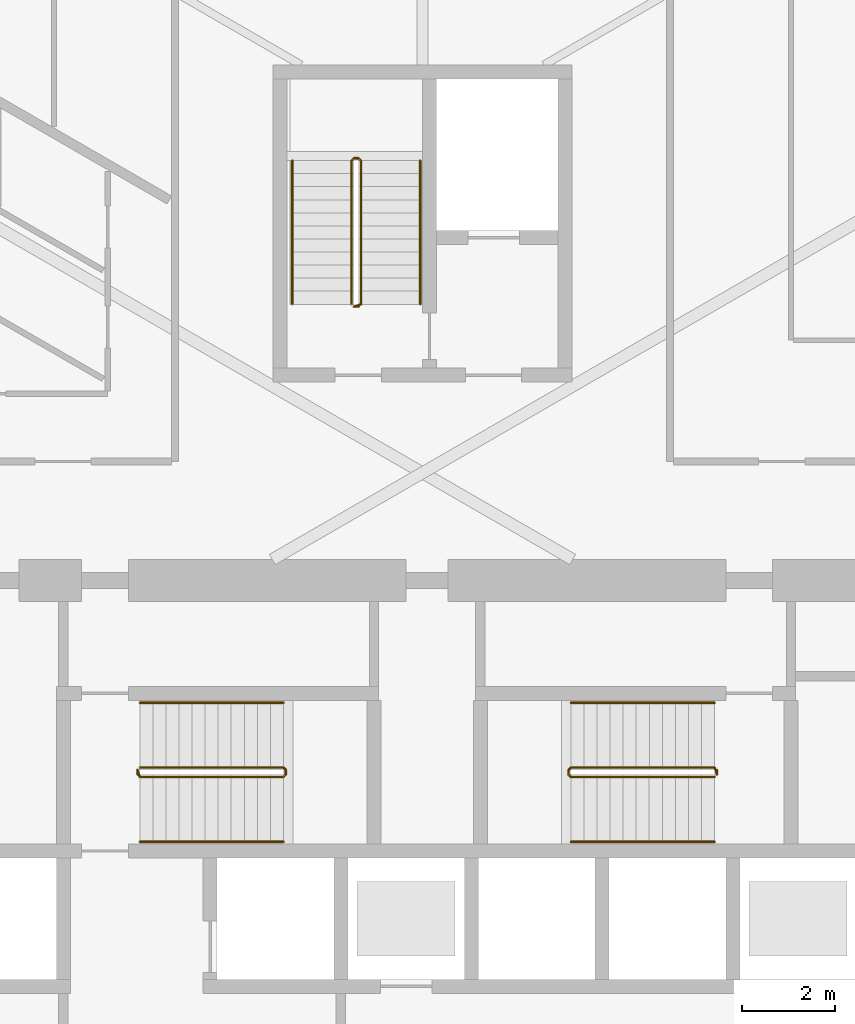
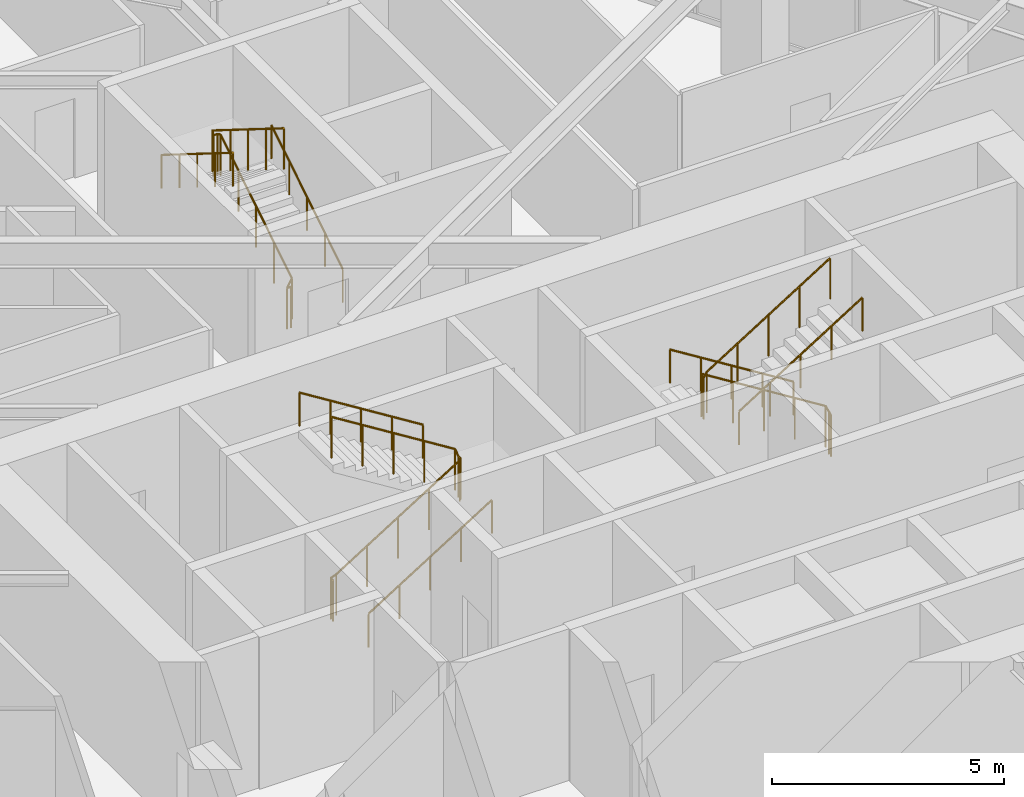
# One storey, part 20 of 21: 9 railings.
"""IFC4 building model written with IfcOpenShell, lengths in metres."""

from ifc_helpers import new_model, si_unit, direction, frame, origin, origin_2d, place, context, subcontext, project, spatial, circle, extrude, material, type_object, element, save


model = new_model("IFC4")

# Units and contexts
model_context = context("Model", 3, precision=1e-05, world=origin(), true_north=direction((0.0, 1.0)))
body_context = subcontext(model_context, "Body", "Model", "MODEL_VIEW")
ifc_project = project(units=[si_unit("LENGTHUNIT", "METRE"), si_unit("AREAUNIT", "SQUARE_METRE"), si_unit("VOLUMEUNIT", "CUBIC_METRE"), si_unit("PLANEANGLEUNIT", "RADIAN"), si_unit("MASSUNIT", "GRAM", prefix="KILO")], contexts=[model_context])

# Site, building, storey
site_placement = place(None, origin())
site = spatial("IfcSite", under=ifc_project, at=site_placement, CompositionType="ELEMENT")
building_placement = place(site_placement, origin())
building = spatial("IfcBuilding", under=site, at=building_placement, Name="Firuza Gate Tower and Library", CompositionType="ELEMENT")
storey_placement = place(building_placement, frame((0.0, 0.0, 98.800048828125)))
storey = spatial("IfcBuildingStorey", under=building, at=storey_placement, Name="L22", CompositionType="ELEMENT", Elevation=98.800048828125)

# Railings
ifc_material_1 = material(Name="Steel S355", Category="steel")
railing_type_1 = type_object("IfcRailingType", Name="Stair guard 1100", PredefinedType="GUARDRAIL", material=ifc_material_1)
railing_1_placement = place(storey_placement, frame((68.889892578125, 79.389892578125, 0.0)))
element("IfcRailing", 1, at=railing_1_placement, inside=storey, type_object=railing_type_1, Name="L22 ST1 stair guard 1", PredefinedType="GUARDRAIL", context=body_context, shape_type="SweptSolid", body=[
    extrude(circle(Radius=0.02392578125, at=origin_2d()), frame((0.0, 0.0, 1.076171875), z_axis=(0.0, 1.0, 0.0), x_axis=(-1.0, 0.0, 0.0)), (0.0, 0.0, 1.0), 0.10009765625),
    extrude(circle(Radius=0.02392578125, at=origin_2d()), frame((0.0, 0.10009765625, 1.076171875), z_axis=(0.21222055169, -0.635626432867, 0.742254319813), x_axis=(0.948528701346, 0.316691178788, 0.0)), (0.0, 0.0, 1.0), 0.23583984375),
    extrude(circle(Radius=0.02392578125, at=origin_2d()), frame((0.050048828125, -0.0498046875, 1.2509765625), z_axis=(0.848028513186, 0.0, 0.529950602248), x_axis=(0.0, 1.0, 0.0)), (0.0, 0.0, 1.0), 3.632080078125),
    extrude(circle(Radius=0.02392578125, at=origin_2d()), frame((3.130126953125, -0.0498046875, 3.17578125), z_axis=(0.708833529934, 0.705375805398, 0.0), x_axis=(-0.705375805398, 0.708833529934, 0.0)), (0.0, 0.0, 1.0), 0.070556640625),
    extrude(circle(Radius=0.02392578125, at=origin_2d()), frame((3.18017578125, 0.0, 3.17578125), z_axis=(0.0, 1.0, 0.0), x_axis=(-1.0, 0.0, 0.0)), (0.0, 0.0, 1.0), 0.10009765625),
    extrude(circle(Radius=0.02392578125, at=origin_2d()), frame((3.18017578125, 0.10009765625, 3.17578125), z_axis=(-0.265065253269, 0.265065253269, 0.927081885822), x_axis=(-0.707106781187, -0.707106781187, 0.0)), (0.0, 0.0, 1.0), 0.188720703125),
    extrude(circle(Radius=0.02392578125, at=origin_2d()), frame((3.130126953125, 0.150146484375, 3.35107421875), z_axis=(-0.847998304005, 0.0, 0.529998940003), x_axis=(0.0, -1.0, 0.0)), (0.0, 0.0, 1.0), 3.632080078125),
    extrude(circle(Radius=0.02099609375, at=origin_2d()), origin(), (0.0, 0.0, 1.0), 1.052001953125),
    extrude(circle(Radius=0.02099609375, at=origin_2d()), frame((0.0, 0.10009765625, 0.0)), (0.0, 0.0, 1.0), 1.052001953125),
    extrude(circle(Radius=0.02099609375, at=origin_2d()), frame((0.050048828125, -0.0498046875, 0.175048828125)), (0.0, 0.0, 1.0), 1.052001953125),
    extrude(circle(Radius=0.02099609375, at=origin_2d()), frame((0.820068359375, -0.0498046875, 0.65625)), (0.0, 0.0, 1.0), 1.052001953125),
    extrude(circle(Radius=0.02099609375, at=origin_2d()), frame((1.590087890625, -0.0498046875, 1.137451171875)), (0.0, 0.0, 1.0), 1.052001953125),
    extrude(circle(Radius=0.02099609375, at=origin_2d()), frame((2.360107421875, -0.0498046875, 1.61865234375)), (0.0, 0.0, 1.0), 1.052001953125),
    extrude(circle(Radius=0.02099609375, at=origin_2d()), frame((3.130126953125, -0.0498046875, 2.099853515625)), (0.0, 0.0, 1.0), 1.052001953125),
    extrude(circle(Radius=0.02099609375, at=origin_2d()), frame((3.18017578125, 0.0, 2.099853515625)), (0.0, 0.0, 1.0), 1.052001953125),
    extrude(circle(Radius=0.02099609375, at=origin_2d()), frame((3.18017578125, 0.10009765625, 2.099853515625)), (0.0, 0.0, 1.0), 1.052001953125),
    extrude(circle(Radius=0.02099609375, at=origin_2d()), frame((3.130126953125, 0.150146484375, 2.27490234375)), (0.0, 0.0, 1.0), 1.052001953125),
    extrude(circle(Radius=0.02099609375, at=origin_2d()), frame((2.360107421875, 0.150146484375, 2.756103515625)), (0.0, 0.0, 1.0), 1.052001953125),
    extrude(circle(Radius=0.02099609375, at=origin_2d()), frame((1.590087890625, 0.150146484375, 3.2373046875)), (0.0, 0.0, 1.0), 1.052001953125),
    extrude(circle(Radius=0.02099609375, at=origin_2d()), frame((0.820068359375, 0.150146484375, 3.71875)), (0.0, 0.0, 1.0), 1.052001953125),
    extrude(circle(Radius=0.02099609375, at=origin_2d()), frame((0.050048828125, 0.150146484375, 4.199951171875)), (0.0, 0.0, 1.0), 1.052001953125),
])
railing_2_placement = place(storey_placement, frame((81.31005859375, 79.489990234375, 0.0)))
element("IfcRailing", 2, at=railing_2_placement, inside=storey, type_object=railing_type_1, Name="L22 ST2 stair guard 1", PredefinedType="GUARDRAIL", context=body_context, shape_type="SweptSolid", body=[
    extrude(circle(Radius=0.02392578125, at=origin_2d()), frame((0.0, 0.0, 1.076171875), z_axis=(0.0, -1.0, 0.0), x_axis=(1.0, 0.0, 0.0)), (0.0, 0.0, 1.0), 0.10009765625),
    extrude(circle(Radius=0.02392578125, at=origin_2d()), frame((0.0, -0.10009765625, 1.076171875), z_axis=(-0.212080931658, 0.636242794973, 0.741765990237), x_axis=(-0.948683298051, -0.316227766017, 0.0)), (0.0, 0.0, 1.0), 0.236083984375),
    extrude(circle(Radius=0.02392578125, at=origin_2d()), frame((-0.050048828125, 0.050048828125, 1.2509765625), z_axis=(-0.848028513186, 0.0, 0.529950602248), x_axis=(0.0, -1.0, 0.0)), (0.0, 0.0, 1.0), 3.632080078125),
    extrude(circle(Radius=0.02392578125, at=origin_2d()), frame((-3.130126953125, 0.050048828125, 3.17578125), z_axis=(-0.707106781187, -0.707106781187, 0.0), x_axis=(0.707106781187, -0.707106781187, 0.0)), (0.0, 0.0, 1.0), 0.07080078125),
    extrude(circle(Radius=0.02392578125, at=origin_2d()), frame((-3.18017578125, 0.0, 3.17578125), z_axis=(0.0, -1.0, 0.0), x_axis=(1.0, 0.0, 0.0)), (0.0, 0.0, 1.0), 0.10009765625),
    extrude(circle(Radius=0.02392578125, at=origin_2d()), frame((-3.18017578125, -0.10009765625, 3.17578125), z_axis=(0.265155923931, -0.263862480399, 0.927399011991), x_axis=(0.705375805398, 0.708833529934, 0.0)), (0.0, 0.0, 1.0), 0.188720703125),
    extrude(circle(Radius=0.02392578125, at=origin_2d()), frame((-3.130126953125, -0.14990234375, 3.35107421875), z_axis=(0.847998304005, 0.0, 0.529998940003), x_axis=(0.0, 1.0, 0.0)), (0.0, 0.0, 1.0), 3.632080078125),
    extrude(circle(Radius=0.02099609375, at=origin_2d()), origin(), (0.0, 0.0, 1.0), 1.052001953125),
    extrude(circle(Radius=0.02099609375, at=origin_2d()), frame((0.0, -0.10009765625, 0.0)), (0.0, 0.0, 1.0), 1.052001953125),
    extrude(circle(Radius=0.02099609375, at=origin_2d()), frame((-0.050048828125, 0.050048828125, 0.175048828125)), (0.0, 0.0, 1.0), 1.052001953125),
    extrude(circle(Radius=0.02099609375, at=origin_2d()), frame((-0.820068359375, 0.050048828125, 0.65625)), (0.0, 0.0, 1.0), 1.052001953125),
    extrude(circle(Radius=0.02099609375, at=origin_2d()), frame((-1.590087890625, 0.050048828125, 1.137451171875)), (0.0, 0.0, 1.0), 1.052001953125),
    extrude(circle(Radius=0.02099609375, at=origin_2d()), frame((-2.360107421875, 0.050048828125, 1.61865234375)), (0.0, 0.0, 1.0), 1.052001953125),
    extrude(circle(Radius=0.02099609375, at=origin_2d()), frame((-3.130126953125, 0.050048828125, 2.099853515625)), (0.0, 0.0, 1.0), 1.052001953125),
    extrude(circle(Radius=0.02099609375, at=origin_2d()), frame((-3.18017578125, 0.0, 2.099853515625)), (0.0, 0.0, 1.0), 1.052001953125),
    extrude(circle(Radius=0.02099609375, at=origin_2d()), frame((-3.18017578125, -0.10009765625, 2.099853515625)), (0.0, 0.0, 1.0), 1.052001953125),
    extrude(circle(Radius=0.02099609375, at=origin_2d()), frame((-3.130126953125, -0.14990234375, 2.27490234375)), (0.0, 0.0, 1.0), 1.052001953125),
    extrude(circle(Radius=0.02099609375, at=origin_2d()), frame((-2.360107421875, -0.14990234375, 2.756103515625)), (0.0, 0.0, 1.0), 1.052001953125),
    extrude(circle(Radius=0.02099609375, at=origin_2d()), frame((-1.590087890625, -0.14990234375, 3.2373046875)), (0.0, 0.0, 1.0), 1.052001953125),
    extrude(circle(Radius=0.02099609375, at=origin_2d()), frame((-0.820068359375, -0.14990234375, 3.71875)), (0.0, 0.0, 1.0), 1.052001953125),
    extrude(circle(Radius=0.02099609375, at=origin_2d()), frame((-0.050048828125, -0.14990234375, 4.199951171875)), (0.0, 0.0, 1.0), 1.052001953125),
])
railing_3_placement = place(storey_placement, frame((73.6298828125, 89.419921875, 0.0)))
element("IfcRailing", 3, at=railing_3_placement, inside=storey, type_object=railing_type_1, Name="L22 ST3 stair guard 1", PredefinedType="GUARDRAIL", context=body_context, shape_type="SweptSolid", body=[
    extrude(circle(Radius=0.02392578125, at=origin_2d()), frame((0.0, 0.0, 1.076171875), z_axis=(-1.0, 0.0, 0.0), x_axis=(0.0, -1.0, 0.0)), (0.0, 0.0, 1.0), 0.099853515625),
    extrude(circle(Radius=0.02392578125, at=origin_2d()), frame((-0.099853515625, 0.0, 1.076171875), z_axis=(0.635626432867, 0.21222055169, 0.742254319813), x_axis=(-0.316691178788, 0.948528701346, 0.0)), (0.0, 0.0, 1.0), 0.23583984375),
    extrude(circle(Radius=0.02392578125, at=origin_2d()), frame((0.050048828125, 0.050048828125, 1.2509765625), z_axis=(0.0, 0.848028513186, 0.529950602248), x_axis=(-1.0, 0.0, 0.0)), (0.0, 0.0, 1.0), 3.632080078125),
    extrude(circle(Radius=0.02392578125, at=origin_2d()), frame((0.050048828125, 3.130126953125, 3.17578125), z_axis=(-0.707106781187, 0.707106781187, 0.0), x_axis=(-0.707106781187, -0.707106781187, 0.0)), (0.0, 0.0, 1.0), 0.07080078125),
    extrude(circle(Radius=0.02392578125, at=origin_2d()), frame((0.0, 3.18017578125, 3.17578125), z_axis=(-1.0, 0.0, 0.0), x_axis=(0.0, -1.0, 0.0)), (0.0, 0.0, 1.0), 0.099853515625),
    extrude(circle(Radius=0.02392578125, at=origin_2d()), frame((-0.099853515625, 3.18017578125, 3.17578125), z_axis=(-0.265065253269, -0.265065253269, 0.927081885822), x_axis=(0.707106781187, -0.707106781187, 0.0)), (0.0, 0.0, 1.0), 0.188720703125),
    extrude(circle(Radius=0.02392578125, at=origin_2d()), frame((-0.14990234375, 3.130126953125, 3.35107421875), z_axis=(0.0, -0.847998304005, 0.529998940003), x_axis=(1.0, 0.0, 0.0)), (0.0, 0.0, 1.0), 3.632080078125),
    extrude(circle(Radius=0.02099609375, at=origin_2d()), origin(), (0.0, 0.0, 1.0), 1.052001953125),
    extrude(circle(Radius=0.02099609375, at=origin_2d()), frame((-0.099853515625, 0.0, 0.0)), (0.0, 0.0, 1.0), 1.052001953125),
    extrude(circle(Radius=0.02099609375, at=origin_2d()), frame((0.050048828125, 0.050048828125, 0.175048828125)), (0.0, 0.0, 1.0), 1.052001953125),
    extrude(circle(Radius=0.02099609375, at=origin_2d()), frame((0.050048828125, 0.820068359375, 0.65625)), (0.0, 0.0, 1.0), 1.052001953125),
    extrude(circle(Radius=0.02099609375, at=origin_2d()), frame((0.050048828125, 1.590087890625, 1.137451171875)), (0.0, 0.0, 1.0), 1.052001953125),
    extrude(circle(Radius=0.02099609375, at=origin_2d()), frame((0.050048828125, 2.360107421875, 1.61865234375)), (0.0, 0.0, 1.0), 1.052001953125),
    extrude(circle(Radius=0.02099609375, at=origin_2d()), frame((0.050048828125, 3.130126953125, 2.099853515625)), (0.0, 0.0, 1.0), 1.052001953125),
    extrude(circle(Radius=0.02099609375, at=origin_2d()), frame((0.0, 3.18017578125, 2.099853515625)), (0.0, 0.0, 1.0), 1.052001953125),
    extrude(circle(Radius=0.02099609375, at=origin_2d()), frame((-0.099853515625, 3.18017578125, 2.099853515625)), (0.0, 0.0, 1.0), 1.052001953125),
    extrude(circle(Radius=0.02099609375, at=origin_2d()), frame((-0.14990234375, 3.130126953125, 2.27490234375)), (0.0, 0.0, 1.0), 1.052001953125),
    extrude(circle(Radius=0.02099609375, at=origin_2d()), frame((-0.14990234375, 2.360107421875, 2.756103515625)), (0.0, 0.0, 1.0), 1.052001953125),
    extrude(circle(Radius=0.02099609375, at=origin_2d()), frame((-0.14990234375, 1.590087890625, 3.2373046875)), (0.0, 0.0, 1.0), 1.052001953125),
    extrude(circle(Radius=0.02099609375, at=origin_2d()), frame((-0.14990234375, 0.820068359375, 3.71875)), (0.0, 0.0, 1.0), 1.052001953125),
    extrude(circle(Radius=0.02099609375, at=origin_2d()), frame((-0.14990234375, 0.050048828125, 4.199951171875)), (0.0, 0.0, 1.0), 1.052001953125),
])
ifc_material_2 = material(Name="Steel S355", Category="steel")
railing_type_2 = type_object("IfcRailingType", Name="Stair handrail 900", PredefinedType="HANDRAIL", material=ifc_material_2)
railing_4_placement = place(storey_placement, frame((68.93994140625, 77.949951171875, 0.175048828125)))
element("IfcRailing", 4, at=railing_4_placement, inside=storey, type_object=railing_type_2, Name="L22 ST1 stair handrail 1", PredefinedType="HANDRAIL", context=body_context, shape_type="SweptSolid", body=[
    extrude(circle(Radius=0.02392578125, at=origin_2d()), frame((0.0, 0.0, 0.8759765625), z_axis=(0.848028513186, 0.0, 0.529950602248), x_axis=(0.0, 1.0, 0.0)), (0.0, 0.0, 1.0), 3.632080078125),
    extrude(circle(Radius=0.02099609375, at=origin_2d()), origin(), (0.0, 0.0, 1.0), 0.851806640625),
    extrude(circle(Radius=0.02099609375, at=origin_2d()), frame((0.77001953125, 0.0, 0.481201171875)), (0.0, 0.0, 1.0), 0.851806640625),
    extrude(circle(Radius=0.02099609375, at=origin_2d()), frame((1.5400390625, 0.0, 0.96240234375)), (0.0, 0.0, 1.0), 0.851806640625),
    extrude(circle(Radius=0.02099609375, at=origin_2d()), frame((2.31005859375, 0.0, 1.443603515625)), (0.0, 0.0, 1.0), 0.851806640625),
    extrude(circle(Radius=0.02099609375, at=origin_2d()), frame((3.080078125, 0.0, 1.9248046875)), (0.0, 0.0, 1.0), 0.851806640625),
])
railing_5_placement = place(storey_placement, frame((72.02001953125, 80.929931640625, 2.27490234375)))
element("IfcRailing", 5, at=railing_5_placement, inside=storey, type_object=railing_type_2, Name="L22 ST1 stair handrail 2", PredefinedType="HANDRAIL", context=body_context, shape_type="SweptSolid", body=[
    extrude(circle(Radius=0.02392578125, at=origin_2d()), frame((0.0, 0.0, 0.8759765625), z_axis=(-0.847998304005, 0.0, 0.529998940003), x_axis=(0.0, -1.0, 0.0)), (0.0, 0.0, 1.0), 3.632080078125),
    extrude(circle(Radius=0.02099609375, at=origin_2d()), origin(), (0.0, 0.0, 1.0), 0.851806640625),
    extrude(circle(Radius=0.02099609375, at=origin_2d()), frame((-0.77001953125, 0.0, 0.481201171875)), (0.0, 0.0, 1.0), 0.851806640625),
    extrude(circle(Radius=0.02099609375, at=origin_2d()), frame((-1.5400390625, 0.0, 0.96240234375)), (0.0, 0.0, 1.0), 0.851806640625),
    extrude(circle(Radius=0.02099609375, at=origin_2d()), frame((-2.31005859375, 0.0, 1.44384765625)), (0.0, 0.0, 1.0), 0.851806640625),
    extrude(circle(Radius=0.02099609375, at=origin_2d()), frame((-3.080078125, 0.0, 1.925048828125)), (0.0, 0.0, 1.0), 0.851806640625),
])
railing_6_placement = place(storey_placement, frame((81.260009765625, 80.929931640625, 0.175048828125)))
element("IfcRailing", 6, at=railing_6_placement, inside=storey, type_object=railing_type_2, Name="L22 ST2 stair handrail 1", PredefinedType="HANDRAIL", context=body_context, shape_type="SweptSolid", body=[
    extrude(circle(Radius=0.02392578125, at=origin_2d()), frame((0.0, 0.0, 0.8759765625), z_axis=(-0.848028513186, 0.0, 0.529950602248), x_axis=(0.0, -1.0, 0.0)), (0.0, 0.0, 1.0), 3.632080078125),
    extrude(circle(Radius=0.02099609375, at=origin_2d()), origin(), (0.0, 0.0, 1.0), 0.851806640625),
    extrude(circle(Radius=0.02099609375, at=origin_2d()), frame((-0.77001953125, 0.0, 0.481201171875)), (0.0, 0.0, 1.0), 0.851806640625),
    extrude(circle(Radius=0.02099609375, at=origin_2d()), frame((-1.5400390625, 0.0, 0.96240234375)), (0.0, 0.0, 1.0), 0.851806640625),
    extrude(circle(Radius=0.02099609375, at=origin_2d()), frame((-2.31005859375, 0.0, 1.443603515625)), (0.0, 0.0, 1.0), 0.851806640625),
    extrude(circle(Radius=0.02099609375, at=origin_2d()), frame((-3.080078125, 0.0, 1.9248046875)), (0.0, 0.0, 1.0), 0.851806640625),
])
railing_7_placement = place(storey_placement, frame((78.179931640625, 77.949951171875, 2.27490234375)))
element("IfcRailing", 7, at=railing_7_placement, inside=storey, type_object=railing_type_2, Name="L22 ST2 stair handrail 2", PredefinedType="HANDRAIL", context=body_context, shape_type="SweptSolid", body=[
    extrude(circle(Radius=0.02392578125, at=origin_2d()), frame((0.0, 0.0, 0.8759765625), z_axis=(0.847998304005, 0.0, 0.529998940003), x_axis=(0.0, 1.0, 0.0)), (0.0, 0.0, 1.0), 3.632080078125),
    extrude(circle(Radius=0.02099609375, at=origin_2d()), origin(), (0.0, 0.0, 1.0), 0.851806640625),
    extrude(circle(Radius=0.02099609375, at=origin_2d()), frame((0.77001953125, 0.0, 0.481201171875)), (0.0, 0.0, 1.0), 0.851806640625),
    extrude(circle(Radius=0.02099609375, at=origin_2d()), frame((1.5400390625, 0.0, 0.96240234375)), (0.0, 0.0, 1.0), 0.851806640625),
    extrude(circle(Radius=0.02099609375, at=origin_2d()), frame((2.31005859375, 0.0, 1.44384765625)), (0.0, 0.0, 1.0), 0.851806640625),
    extrude(circle(Radius=0.02099609375, at=origin_2d()), frame((3.080078125, 0.0, 1.925048828125)), (0.0, 0.0, 1.0), 0.851806640625),
])
railing_8_placement = place(storey_placement, frame((74.949951171875, 89.469970703125, 0.175048828125)))
element("IfcRailing", 8, at=railing_8_placement, inside=storey, type_object=railing_type_2, Name="L22 ST3 stair handrail 1", PredefinedType="HANDRAIL", context=body_context, shape_type="SweptSolid", body=[
    extrude(circle(Radius=0.02392578125, at=origin_2d()), frame((0.0, 0.0, 0.8759765625), z_axis=(0.0, 0.848028513186, 0.529950602248), x_axis=(-1.0, 0.0, 0.0)), (0.0, 0.0, 1.0), 3.632080078125),
    extrude(circle(Radius=0.02099609375, at=origin_2d()), origin(), (0.0, 0.0, 1.0), 0.851806640625),
    extrude(circle(Radius=0.02099609375, at=origin_2d()), frame((0.0, 0.77001953125, 0.481201171875)), (0.0, 0.0, 1.0), 0.851806640625),
    extrude(circle(Radius=0.02099609375, at=origin_2d()), frame((0.0, 1.5400390625, 0.96240234375)), (0.0, 0.0, 1.0), 0.851806640625),
    extrude(circle(Radius=0.02099609375, at=origin_2d()), frame((0.0, 2.31005859375, 1.443603515625)), (0.0, 0.0, 1.0), 0.851806640625),
    extrude(circle(Radius=0.02099609375, at=origin_2d()), frame((0.0, 3.080078125, 1.9248046875)), (0.0, 0.0, 1.0), 0.851806640625),
])
railing_9_placement = place(storey_placement, frame((72.2099609375, 92.550048828125, 2.27490234375)))
element("IfcRailing", 9, at=railing_9_placement, inside=storey, type_object=railing_type_2, Name="L22 ST3 stair handrail 2", PredefinedType="HANDRAIL", context=body_context, shape_type="SweptSolid", body=[
    extrude(circle(Radius=0.02392578125, at=origin_2d()), frame((0.0, 0.0, 0.8759765625), z_axis=(0.0, -0.847998304005, 0.529998940003), x_axis=(1.0, 0.0, 0.0)), (0.0, 0.0, 1.0), 3.632080078125),
    extrude(circle(Radius=0.02099609375, at=origin_2d()), origin(), (0.0, 0.0, 1.0), 0.851806640625),
    extrude(circle(Radius=0.02099609375, at=origin_2d()), frame((0.0, -0.77001953125, 0.481201171875)), (0.0, 0.0, 1.0), 0.851806640625),
    extrude(circle(Radius=0.02099609375, at=origin_2d()), frame((0.0, -1.5400390625, 0.96240234375)), (0.0, 0.0, 1.0), 0.851806640625),
    extrude(circle(Radius=0.02099609375, at=origin_2d()), frame((0.0, -2.31005859375, 1.44384765625)), (0.0, 0.0, 1.0), 0.851806640625),
    extrude(circle(Radius=0.02099609375, at=origin_2d()), frame((0.0, -3.080078125, 1.925048828125)), (0.0, 0.0, 1.0), 0.851806640625),
])

save(model, "model.ifc")
